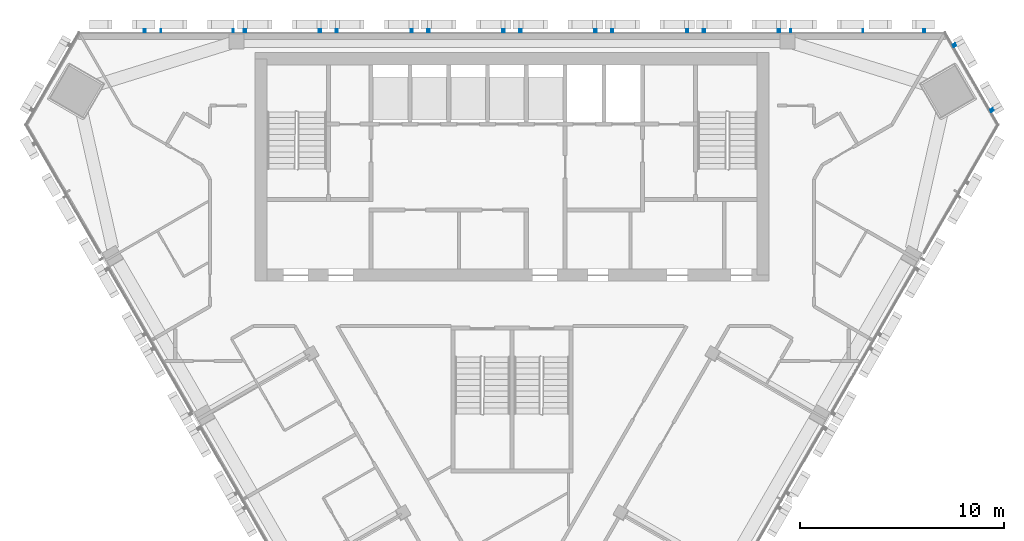
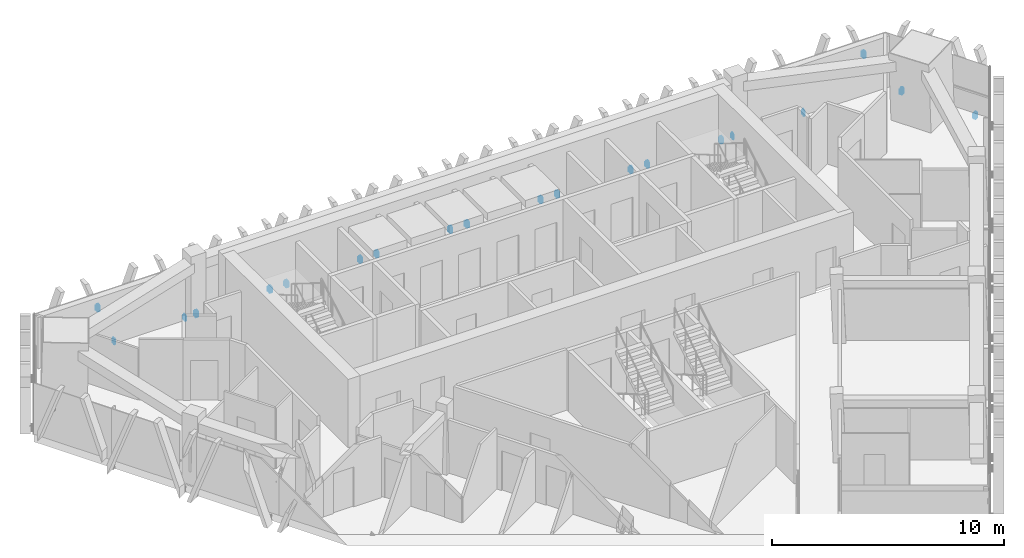
# One storey, part 12 of 15: 2 discrete accessories.
"""IFC4 building model written with IfcOpenShell, lengths in metres."""

from ifc_helpers import new_model, si_unit, direction, frame, origin, place, context, subcontext, project, spatial, polyline, outline, extrude, source, transform, mapped, material, type_object, element, save


model = new_model("IFC4")

# Units and contexts
model_context = context("Model", 3, precision=1e-05, world=origin(), true_north=direction((0.0, 1.0)))
body_context = subcontext(model_context, "Body", "Model", "MODEL_VIEW")
ifc_project = project(units=[si_unit("LENGTHUNIT", "METRE"), si_unit("AREAUNIT", "SQUARE_METRE"), si_unit("VOLUMEUNIT", "CUBIC_METRE"), si_unit("PLANEANGLEUNIT", "RADIAN"), si_unit("MASSUNIT", "GRAM", prefix="KILO")], contexts=[model_context])

# Site, building, storey
site_placement = place(None, origin())
site = spatial("IfcSite", under=ifc_project, at=site_placement, CompositionType="ELEMENT")
building_placement = place(site_placement, origin())
building = spatial("IfcBuilding", under=site, at=building_placement, Name="Altiplano Prism Tower", CompositionType="ELEMENT")
storey_placement = place(building_placement, frame((0.0, 0.0, 250.0)))
storey = spatial("IfcBuildingStorey", under=building, at=storey_placement, Name="L64", CompositionType="ELEMENT", Elevation=250.0)

# Discrete accessories
ifc_material = material(Name="Stainless steel", Category="steel")
discrete_accessory_type = type_object("IfcDiscreteAccessoryType", Name="Stone fin fixing prongs", PredefinedType="USERDEFINED", material=ifc_material)
shared_shape_1 = source(origin(), body_context, "Body", "SweptSolid", [
    extrude(outline(polyline([(-1.16162109375, 2.07177734375), (-1.041748046875, 2.07177734375), (-1.041748046875, 2.37158203125), (-1.16162109375, 2.37158203125), (-1.16162109375, 2.07177734375)])), frame((0.0, 0.0, 0.0), z_axis=(0.0, -1.0, 0.0), x_axis=(1.0, 0.0, 0.0)), (0.0, 0.0, 1.0), 0.14990234375),
])
shared_shape_2 = source(origin(), body_context, "Body", "SweptSolid", [
    extrude(outline(polyline([(-1.7900390625, 0.06005859375), (-1.74755859375, 0.06005859375), (-1.74755859375, 0.340087890625), (-1.7900390625, 0.340087890625), (-1.7900390625, 0.06005859375)])), frame((0.0, 0.0, 0.0), z_axis=(0.0, -1.0, 0.0), x_axis=(1.0, 0.0, 0.0)), (0.0, 0.0, 1.0), 0.14990234375),
    extrude(outline(polyline([(1.74755859375, 0.06005859375), (1.7900390625, 0.06005859375), (1.7900390625, 0.340087890625), (1.74755859375, 0.340087890625), (1.74755859375, 0.06005859375)])), frame((0.0, 0.0, 0.0), z_axis=(0.0, -1.0, 0.0), x_axis=(1.0, 0.0, 0.0)), (0.0, 0.0, 1.0), 0.14990234375),
])
shared_shape_3 = source(origin(), body_context, "Body", "SweptSolid", [
    extrude(outline(polyline([(-1.8974609375, 0.06005859375), (-1.777587890625, 0.06005859375), (-1.777587890625, 0.340087890625), (-1.8974609375, 0.340087890625), (-1.8974609375, 0.06005859375)])), frame((0.0, 0.0, 0.0), z_axis=(0.0, -1.0, 0.0), x_axis=(1.0, 0.0, 0.0)), (0.0, 0.0, 1.0), 0.14990234375),
    extrude(outline(polyline([(1.777587890625, 0.06005859375), (1.8974609375, 0.06005859375), (1.8974609375, 0.340087890625), (1.777587890625, 0.340087890625), (1.777587890625, 0.06005859375)])), frame((0.0, 0.0, 0.0), z_axis=(0.0, -1.0, 0.0), x_axis=(1.0, 0.0, 0.0)), (0.0, 0.0, 1.0), 0.14990234375),
])
discrete_accessory_1_placement = place(storey_placement, origin())
element("IfcDiscreteAccessory", 1, at=discrete_accessory_1_placement, inside=storey, type_object=discrete_accessory_type, Name="Fin fixings L64 north face", ObjectType="BRACKET", PredefinedType="USERDEFINED", context=body_context, shape_type="MappedRepresentation", body=[
    mapped(shared_shape_1, transform((104.098388671875, 105.0, -0.39990234375), x_axis=(-1.0, 0.0, 0.0), y_axis=(0.0, -1.0, 0.0), z_axis=(0.0, 0.0, 1.0))),
    mapped(shared_shape_2, transform((100.432861328125, 105.0, -0.39990234375), x_axis=(-1.0, 0.0, 0.0), y_axis=(0.0, -1.0, 0.0), z_axis=(0.0, 0.0, 1.0))),
    mapped(shared_shape_3, transform((96.25, 105.0, -0.39990234375), x_axis=(-1.0, 0.0, 0.0), y_axis=(0.0, -1.0, 0.0), z_axis=(0.0, 0.0, 1.0))),
    mapped(shared_shape_3, transform((91.75, 105.0, -0.39990234375), x_axis=(-1.0, 0.0, 0.0), y_axis=(0.0, -1.0, 0.0), z_axis=(0.0, 0.0, 1.0))),
    mapped(shared_shape_3, transform((87.25, 105.0, -0.39990234375), x_axis=(-1.0, 0.0, 0.0), y_axis=(0.0, -1.0, 0.0), z_axis=(0.0, 0.0, 1.0))),
    mapped(shared_shape_3, transform((82.75, 105.0, -0.39990234375), x_axis=(-1.0, 0.0, 0.0), y_axis=(0.0, -1.0, 0.0), z_axis=(0.0, 0.0, 1.0))),
    mapped(shared_shape_3, transform((78.25, 105.0, -0.39990234375), x_axis=(-1.0, 0.0, 0.0), y_axis=(0.0, -1.0, 0.0), z_axis=(0.0, 0.0, 1.0))),
    mapped(shared_shape_3, transform((73.75, 105.0, -0.39990234375), x_axis=(-1.0, 0.0, 0.0), y_axis=(0.0, -1.0, 0.0), z_axis=(0.0, 0.0, 1.0))),
    mapped(shared_shape_2, transform((69.567138671875, 105.0, -0.39990234375), x_axis=(-1.0, 0.0, 0.0), y_axis=(0.0, -1.0, 0.0), z_axis=(0.0, 0.0, 1.0))),
    mapped(shared_shape_1, transform((65.901611328125, 105.0, -0.39990234375), x_axis=(-1.0, 0.0, 0.0), y_axis=(0.0, -1.0, 0.0), z_axis=(0.0, 0.0, 1.0))),
])
shared_shape_4 = source(origin(), body_context, "Body", "SweptSolid", [
    extrude(outline(polyline([(-1.8974609375, 0.06005859375), (-1.777587890625, 0.06005859375), (-1.777587890625, 0.340087890625), (-1.8974609375, 0.340087890625), (-1.8974609375, 0.06005859375)])), frame((0.0, 0.0, 0.0), z_axis=(0.0, -1.0, 0.0), x_axis=(1.0, 0.0, 0.0)), (0.0, 0.0, 1.0), 0.14990234375),
    extrude(outline(polyline([(1.777587890625, 0.06005859375), (1.8974609375, 0.06005859375), (1.8974609375, 0.340087890625), (1.777587890625, 0.340087890625), (1.777587890625, 0.06005859375)])), frame((0.0, 0.0, 0.0), z_axis=(0.0, -1.0, 0.0), x_axis=(1.0, 0.0, 0.0)), (0.0, 0.0, 1.0), 0.14990234375),
])
discrete_accessory_2_placement = place(storey_placement, origin())
element("IfcDiscreteAccessory", 2, at=discrete_accessory_2_placement, inside=storey, type_object=discrete_accessory_type, Name="Fin fixings L64 north-east chamfer", ObjectType="BRACKET", PredefinedType="USERDEFINED", context=body_context, shape_type="MappedRepresentation", body=[
    mapped(shared_shape_4, transform((107.5390625, 102.734375, -0.39990234375), x_axis=(-0.50000001892, 0.866025392861, 0.0), y_axis=(-0.866025392861, -0.50000001892, 0.0), z_axis=(0.0, 0.0, 1.0))),
])

save(model, "model.ifc")
